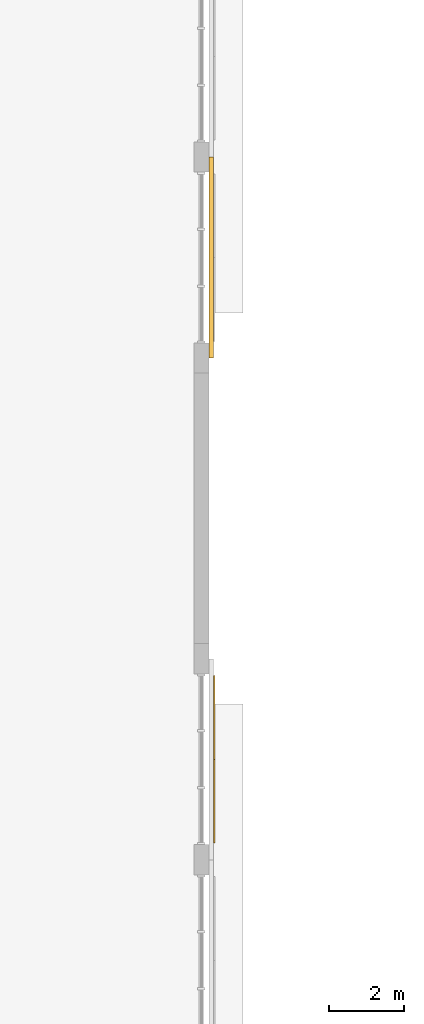
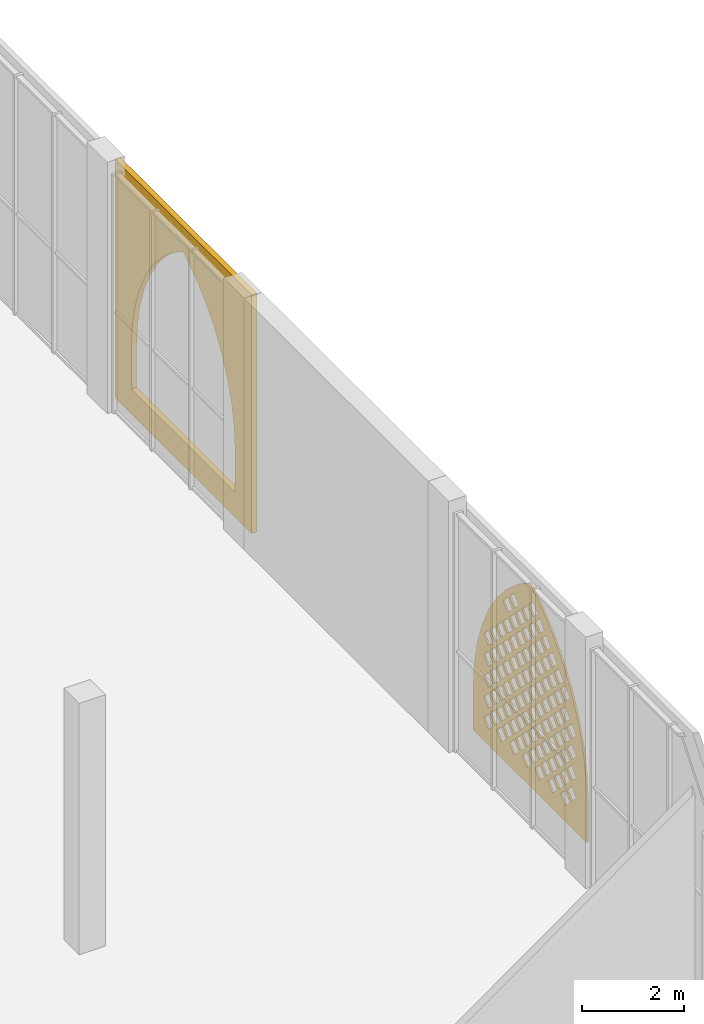
# One storey, part 41 of 74: 2 coverings.
"""IFC4 building model written with IfcOpenShell, lengths in metres."""

from ifc_helpers import new_model, si_unit, direction, frame, origin, place, context, subcontext, project, spatial, polyline, outline, extrude, material, layer, layer_set, type_object, element, save


model = new_model("IFC4")

# Units and contexts
model_context = context("Model", 3, precision=1e-05, world=origin(), true_north=direction((0.0, 1.0)))
body_context = subcontext(model_context, "Body", "Model", "MODEL_VIEW")
ifc_project = project(units=[si_unit("LENGTHUNIT", "METRE"), si_unit("AREAUNIT", "SQUARE_METRE"), si_unit("VOLUMEUNIT", "CUBIC_METRE"), si_unit("PLANEANGLEUNIT", "RADIAN"), si_unit("MASSUNIT", "GRAM", prefix="KILO")], contexts=[model_context])

# Site, building, storey
site_placement = place(None, origin())
site = spatial("IfcSite", under=ifc_project, at=site_placement, CompositionType="ELEMENT")
building_placement = place(site_placement, origin())
building = spatial("IfcBuilding", under=site, at=building_placement, Name="Noorbagh Ring Tower", CompositionType="ELEMENT")
storey_placement = place(building_placement, frame((0.0, 0.0, 7.5)))
storey = spatial("IfcBuildingStorey", under=building, at=storey_placement, Name="L01", CompositionType="ELEMENT", Elevation=7.5)

# Coverings
ifc_material_1 = material(Name="Red sandstone jali", Category="masonry")
ifc_layer_1 = layer(ifc_material_1, 0.0400390625)
ifc_layer_set_1 = layer_set([ifc_layer_1], Name="Red sandstone jali")
covering_type_1 = type_object("IfcCoveringType", Name="STH-JALI", PredefinedType="USERDEFINED", material=ifc_layer_set_1)
covering_1_placement = place(storey_placement, frame((-94.840087890625, -3.89990234375, 0.39990234375), z_axis=(1.0, 0.0, 0.0), x_axis=(0.0, 1.0, 0.0)))
element("IfcCovering", 1, at=covering_1_placement, inside=storey, type_object=covering_type_1, Name="Jali screen", ObjectType="SCREEN", PredefinedType="USERDEFINED", context=body_context, shape_type="SweptSolid", body=[
    extrude(outline(polyline([(0.0, 0.0), (4.449951171875, 0.0), (4.449951171875, 1.0), (4.411865234375, 1.580810546875), (4.29833984375, 2.15185546875), (4.111083984375, 2.702880859375), (3.853759765625, 3.22509765625), (3.5302734375, 3.708984375), (3.146484375, 4.146728515625), (2.708984375, 4.530517578125), (2.224853515625, 4.85400390625), (1.740966796875, 4.530517578125), (1.30322265625, 4.146728515625), (0.91943359375, 3.708984375), (0.59619140625, 3.22509765625), (0.338623046875, 2.702880859375), (0.151611328125, 2.15185546875), (0.0380859375, 1.580810546875), (0.0, 1.0), (0.0, 0.0)]), holes=[polyline([(0.669921875, 0.552001953125), (0.85009765625, 0.371826171875), (1.030029296875, 0.552001953125), (0.85009765625, 0.73193359375), (0.669921875, 0.552001953125)]), polyline([(1.169921875, 0.552001953125), (1.35009765625, 0.371826171875), (1.530029296875, 0.552001953125), (1.35009765625, 0.73193359375), (1.169921875, 0.552001953125)]), polyline([(1.669921875, 0.552001953125), (1.85009765625, 0.371826171875), (2.030029296875, 0.552001953125), (1.85009765625, 0.73193359375), (1.669921875, 0.552001953125)]), polyline([(2.169921875, 0.552001953125), (2.35009765625, 0.371826171875), (2.530029296875, 0.552001953125), (2.35009765625, 0.73193359375), (2.169921875, 0.552001953125)]), polyline([(2.669921875, 0.552001953125), (2.85009765625, 0.371826171875), (3.030029296875, 0.552001953125), (2.85009765625, 0.73193359375), (2.669921875, 0.552001953125)]), polyline([(3.169921875, 0.552001953125), (3.35009765625, 0.371826171875), (3.530029296875, 0.552001953125), (3.35009765625, 0.73193359375), (3.169921875, 0.552001953125)]), polyline([(3.669921875, 0.552001953125), (3.85009765625, 0.371826171875), (4.030029296875, 0.552001953125), (3.85009765625, 0.73193359375), (3.669921875, 0.552001953125)]), polyline([(0.419921875, 0.802001953125), (0.60009765625, 0.621826171875), (0.780029296875, 0.802001953125), (0.60009765625, 0.98193359375), (0.419921875, 0.802001953125)]), polyline([(0.919921875, 0.802001953125), (1.10009765625, 0.621826171875), (1.280029296875, 0.802001953125), (1.10009765625, 0.98193359375), (0.919921875, 0.802001953125)]), polyline([(1.419921875, 0.802001953125), (1.60009765625, 0.621826171875), (1.780029296875, 0.802001953125), (1.60009765625, 0.98193359375), (1.419921875, 0.802001953125)]), polyline([(1.919921875, 0.802001953125), (2.10009765625, 0.621826171875), (2.280029296875, 0.802001953125), (2.10009765625, 0.98193359375), (1.919921875, 0.802001953125)]), polyline([(2.419921875, 0.802001953125), (2.60009765625, 0.621826171875), (2.780029296875, 0.802001953125), (2.60009765625, 0.98193359375), (2.419921875, 0.802001953125)]), polyline([(2.919921875, 0.802001953125), (3.10009765625, 0.621826171875), (3.280029296875, 0.802001953125), (3.10009765625, 0.98193359375), (2.919921875, 0.802001953125)]), polyline([(3.419921875, 0.802001953125), (3.60009765625, 0.621826171875), (3.780029296875, 0.802001953125), (3.60009765625, 0.98193359375), (3.419921875, 0.802001953125)]), polyline([(0.669921875, 1.052001953125), (0.85009765625, 0.871826171875), (1.030029296875, 1.052001953125), (0.85009765625, 1.23193359375), (0.669921875, 1.052001953125)]), polyline([(1.169921875, 1.052001953125), (1.35009765625, 0.871826171875), (1.530029296875, 1.052001953125), (1.35009765625, 1.23193359375), (1.169921875, 1.052001953125)]), polyline([(1.669921875, 1.052001953125), (1.85009765625, 0.871826171875), (2.030029296875, 1.052001953125), (1.85009765625, 1.23193359375), (1.669921875, 1.052001953125)]), polyline([(2.169921875, 1.052001953125), (2.35009765625, 0.871826171875), (2.530029296875, 1.052001953125), (2.35009765625, 1.23193359375), (2.169921875, 1.052001953125)]), polyline([(2.669921875, 1.052001953125), (2.85009765625, 0.871826171875), (3.030029296875, 1.052001953125), (2.85009765625, 1.23193359375), (2.669921875, 1.052001953125)]), polyline([(3.169921875, 1.052001953125), (3.35009765625, 0.871826171875), (3.530029296875, 1.052001953125), (3.35009765625, 1.23193359375), (3.169921875, 1.052001953125)]), polyline([(3.669921875, 1.052001953125), (3.85009765625, 0.871826171875), (4.030029296875, 1.052001953125), (3.85009765625, 1.23193359375), (3.669921875, 1.052001953125)]), polyline([(0.419921875, 1.302001953125), (0.60009765625, 1.121826171875), (0.780029296875, 1.302001953125), (0.60009765625, 1.48193359375), (0.419921875, 1.302001953125)]), polyline([(0.919921875, 1.302001953125), (1.10009765625, 1.121826171875), (1.280029296875, 1.302001953125), (1.10009765625, 1.48193359375), (0.919921875, 1.302001953125)]), polyline([(1.419921875, 1.302001953125), (1.60009765625, 1.121826171875), (1.780029296875, 1.302001953125), (1.60009765625, 1.48193359375), (1.419921875, 1.302001953125)]), polyline([(1.919921875, 1.302001953125), (2.10009765625, 1.121826171875), (2.280029296875, 1.302001953125), (2.10009765625, 1.48193359375), (1.919921875, 1.302001953125)]), polyline([(2.419921875, 1.302001953125), (2.60009765625, 1.121826171875), (2.780029296875, 1.302001953125), (2.60009765625, 1.48193359375), (2.419921875, 1.302001953125)]), polyline([(2.919921875, 1.302001953125), (3.10009765625, 1.121826171875), (3.280029296875, 1.302001953125), (3.10009765625, 1.48193359375), (2.919921875, 1.302001953125)]), polyline([(3.419921875, 1.302001953125), (3.60009765625, 1.121826171875), (3.780029296875, 1.302001953125), (3.60009765625, 1.48193359375), (3.419921875, 1.302001953125)]), polyline([(0.669921875, 1.552001953125), (0.85009765625, 1.371826171875), (1.030029296875, 1.552001953125), (0.85009765625, 1.73193359375), (0.669921875, 1.552001953125)]), polyline([(1.169921875, 1.552001953125), (1.35009765625, 1.371826171875), (1.530029296875, 1.552001953125), (1.35009765625, 1.73193359375), (1.169921875, 1.552001953125)]), polyline([(1.669921875, 1.552001953125), (1.85009765625, 1.371826171875), (2.030029296875, 1.552001953125), (1.85009765625, 1.73193359375), (1.669921875, 1.552001953125)]), polyline([(2.169921875, 1.552001953125), (2.35009765625, 1.371826171875), (2.530029296875, 1.552001953125), (2.35009765625, 1.73193359375), (2.169921875, 1.552001953125)]), polyline([(2.669921875, 1.552001953125), (2.85009765625, 1.371826171875), (3.030029296875, 1.552001953125), (2.85009765625, 1.73193359375), (2.669921875, 1.552001953125)]), polyline([(3.169921875, 1.552001953125), (3.35009765625, 1.371826171875), (3.530029296875, 1.552001953125), (3.35009765625, 1.73193359375), (3.169921875, 1.552001953125)]), polyline([(3.669921875, 1.552001953125), (3.85009765625, 1.371826171875), (4.030029296875, 1.552001953125), (3.85009765625, 1.73193359375), (3.669921875, 1.552001953125)]), polyline([(0.419921875, 1.802001953125), (0.60009765625, 1.621826171875), (0.780029296875, 1.802001953125), (0.60009765625, 1.98193359375), (0.419921875, 1.802001953125)]), polyline([(0.919921875, 1.802001953125), (1.10009765625, 1.621826171875), (1.280029296875, 1.802001953125), (1.10009765625, 1.98193359375), (0.919921875, 1.802001953125)]), polyline([(1.419921875, 1.802001953125), (1.60009765625, 1.621826171875), (1.780029296875, 1.802001953125), (1.60009765625, 1.98193359375), (1.419921875, 1.802001953125)]), polyline([(1.919921875, 1.802001953125), (2.10009765625, 1.621826171875), (2.280029296875, 1.802001953125), (2.10009765625, 1.98193359375), (1.919921875, 1.802001953125)]), polyline([(2.419921875, 1.802001953125), (2.60009765625, 1.621826171875), (2.780029296875, 1.802001953125), (2.60009765625, 1.98193359375), (2.419921875, 1.802001953125)]), polyline([(2.919921875, 1.802001953125), (3.10009765625, 1.621826171875), (3.280029296875, 1.802001953125), (3.10009765625, 1.98193359375), (2.919921875, 1.802001953125)]), polyline([(3.419921875, 1.802001953125), (3.60009765625, 1.621826171875), (3.780029296875, 1.802001953125), (3.60009765625, 1.98193359375), (3.419921875, 1.802001953125)]), polyline([(0.669921875, 2.052001953125), (0.85009765625, 1.871826171875), (1.030029296875, 2.052001953125), (0.85009765625, 2.23193359375), (0.669921875, 2.052001953125)]), polyline([(1.169921875, 2.052001953125), (1.35009765625, 1.871826171875), (1.530029296875, 2.052001953125), (1.35009765625, 2.23193359375), (1.169921875, 2.052001953125)]), polyline([(1.669921875, 2.052001953125), (1.85009765625, 1.871826171875), (2.030029296875, 2.052001953125), (1.85009765625, 2.23193359375), (1.669921875, 2.052001953125)]), polyline([(2.169921875, 2.052001953125), (2.35009765625, 1.871826171875), (2.530029296875, 2.052001953125), (2.35009765625, 2.23193359375), (2.169921875, 2.052001953125)]), polyline([(2.669921875, 2.052001953125), (2.85009765625, 1.871826171875), (3.030029296875, 2.052001953125), (2.85009765625, 2.23193359375), (2.669921875, 2.052001953125)]), polyline([(3.169921875, 2.052001953125), (3.35009765625, 1.871826171875), (3.530029296875, 2.052001953125), (3.35009765625, 2.23193359375), (3.169921875, 2.052001953125)]), polyline([(3.669921875, 2.052001953125), (3.85009765625, 1.871826171875), (4.030029296875, 2.052001953125), (3.85009765625, 2.23193359375), (3.669921875, 2.052001953125)]), polyline([(0.419921875, 2.302001953125), (0.60009765625, 2.121826171875), (0.780029296875, 2.302001953125), (0.60009765625, 2.48193359375), (0.419921875, 2.302001953125)]), polyline([(0.919921875, 2.302001953125), (1.10009765625, 2.121826171875), (1.280029296875, 2.302001953125), (1.10009765625, 2.48193359375), (0.919921875, 2.302001953125)]), polyline([(1.419921875, 2.302001953125), (1.60009765625, 2.121826171875), (1.780029296875, 2.302001953125), (1.60009765625, 2.48193359375), (1.419921875, 2.302001953125)]), polyline([(1.919921875, 2.302001953125), (2.10009765625, 2.121826171875), (2.280029296875, 2.302001953125), (2.10009765625, 2.48193359375), (1.919921875, 2.302001953125)]), polyline([(2.419921875, 2.302001953125), (2.60009765625, 2.121826171875), (2.780029296875, 2.302001953125), (2.60009765625, 2.48193359375), (2.419921875, 2.302001953125)]), polyline([(2.919921875, 2.302001953125), (3.10009765625, 2.121826171875), (3.280029296875, 2.302001953125), (3.10009765625, 2.48193359375), (2.919921875, 2.302001953125)]), polyline([(3.419921875, 2.302001953125), (3.60009765625, 2.121826171875), (3.780029296875, 2.302001953125), (3.60009765625, 2.48193359375), (3.419921875, 2.302001953125)]), polyline([(0.669921875, 2.552001953125), (0.85009765625, 2.371826171875), (1.030029296875, 2.552001953125), (0.85009765625, 2.73193359375), (0.669921875, 2.552001953125)]), polyline([(1.169921875, 2.552001953125), (1.35009765625, 2.371826171875), (1.530029296875, 2.552001953125), (1.35009765625, 2.73193359375), (1.169921875, 2.552001953125)]), polyline([(1.669921875, 2.552001953125), (1.85009765625, 2.371826171875), (2.030029296875, 2.552001953125), (1.85009765625, 2.73193359375), (1.669921875, 2.552001953125)]), polyline([(2.169921875, 2.552001953125), (2.35009765625, 2.371826171875), (2.530029296875, 2.552001953125), (2.35009765625, 2.73193359375), (2.169921875, 2.552001953125)]), polyline([(2.669921875, 2.552001953125), (2.85009765625, 2.371826171875), (3.030029296875, 2.552001953125), (2.85009765625, 2.73193359375), (2.669921875, 2.552001953125)]), polyline([(3.169921875, 2.552001953125), (3.35009765625, 2.371826171875), (3.530029296875, 2.552001953125), (3.35009765625, 2.73193359375), (3.169921875, 2.552001953125)]), polyline([(3.669921875, 2.552001953125), (3.85009765625, 2.371826171875), (4.030029296875, 2.552001953125), (3.85009765625, 2.73193359375), (3.669921875, 2.552001953125)]), polyline([(0.919921875, 2.802001953125), (1.10009765625, 2.621826171875), (1.280029296875, 2.802001953125), (1.10009765625, 2.98193359375), (0.919921875, 2.802001953125)]), polyline([(1.419921875, 2.802001953125), (1.60009765625, 2.621826171875), (1.780029296875, 2.802001953125), (1.60009765625, 2.98193359375), (1.419921875, 2.802001953125)]), polyline([(1.919921875, 2.802001953125), (2.10009765625, 2.621826171875), (2.280029296875, 2.802001953125), (2.10009765625, 2.98193359375), (1.919921875, 2.802001953125)]), polyline([(2.419921875, 2.802001953125), (2.60009765625, 2.621826171875), (2.780029296875, 2.802001953125), (2.60009765625, 2.98193359375), (2.419921875, 2.802001953125)]), polyline([(2.919921875, 2.802001953125), (3.10009765625, 2.621826171875), (3.280029296875, 2.802001953125), (3.10009765625, 2.98193359375), (2.919921875, 2.802001953125)]), polyline([(3.419921875, 2.802001953125), (3.60009765625, 2.621826171875), (3.780029296875, 2.802001953125), (3.60009765625, 2.98193359375), (3.419921875, 2.802001953125)]), polyline([(0.669921875, 3.052001953125), (0.85009765625, 2.871826171875), (1.030029296875, 3.052001953125), (0.85009765625, 3.23193359375), (0.669921875, 3.052001953125)]), polyline([(1.169921875, 3.052001953125), (1.35009765625, 2.871826171875), (1.530029296875, 3.052001953125), (1.35009765625, 3.23193359375), (1.169921875, 3.052001953125)]), polyline([(1.669921875, 3.052001953125), (1.85009765625, 2.871826171875), (2.030029296875, 3.052001953125), (1.85009765625, 3.23193359375), (1.669921875, 3.052001953125)]), polyline([(2.169921875, 3.052001953125), (2.35009765625, 2.871826171875), (2.530029296875, 3.052001953125), (2.35009765625, 3.23193359375), (2.169921875, 3.052001953125)]), polyline([(2.669921875, 3.052001953125), (2.85009765625, 2.871826171875), (3.030029296875, 3.052001953125), (2.85009765625, 3.23193359375), (2.669921875, 3.052001953125)]), polyline([(3.169921875, 3.052001953125), (3.35009765625, 2.871826171875), (3.530029296875, 3.052001953125), (3.35009765625, 3.23193359375), (3.169921875, 3.052001953125)]), polyline([(0.919921875, 3.302001953125), (1.10009765625, 3.121826171875), (1.280029296875, 3.302001953125), (1.10009765625, 3.48193359375), (0.919921875, 3.302001953125)]), polyline([(1.419921875, 3.302001953125), (1.60009765625, 3.121826171875), (1.780029296875, 3.302001953125), (1.60009765625, 3.48193359375), (1.419921875, 3.302001953125)]), polyline([(1.919921875, 3.302001953125), (2.10009765625, 3.121826171875), (2.280029296875, 3.302001953125), (2.10009765625, 3.48193359375), (1.919921875, 3.302001953125)]), polyline([(2.419921875, 3.302001953125), (2.60009765625, 3.121826171875), (2.780029296875, 3.302001953125), (2.60009765625, 3.48193359375), (2.419921875, 3.302001953125)]), polyline([(2.919921875, 3.302001953125), (3.10009765625, 3.121826171875), (3.280029296875, 3.302001953125), (3.10009765625, 3.48193359375), (2.919921875, 3.302001953125)]), polyline([(1.169921875, 3.552001953125), (1.35009765625, 3.371826171875), (1.530029296875, 3.552001953125), (1.35009765625, 3.73193359375), (1.169921875, 3.552001953125)]), polyline([(1.669921875, 3.552001953125), (1.85009765625, 3.371826171875), (2.030029296875, 3.552001953125), (1.85009765625, 3.73193359375), (1.669921875, 3.552001953125)]), polyline([(2.169921875, 3.552001953125), (2.35009765625, 3.371826171875), (2.530029296875, 3.552001953125), (2.35009765625, 3.73193359375), (2.169921875, 3.552001953125)]), polyline([(2.669921875, 3.552001953125), (2.85009765625, 3.371826171875), (3.030029296875, 3.552001953125), (2.85009765625, 3.73193359375), (2.669921875, 3.552001953125)]), polyline([(1.419921875, 3.802001953125), (1.60009765625, 3.621826171875), (1.780029296875, 3.802001953125), (1.60009765625, 3.98193359375), (1.419921875, 3.802001953125)]), polyline([(1.919921875, 3.802001953125), (2.10009765625, 3.621826171875), (2.280029296875, 3.802001953125), (2.10009765625, 3.98193359375), (1.919921875, 3.802001953125)]), polyline([(2.419921875, 3.802001953125), (2.60009765625, 3.621826171875), (2.780029296875, 3.802001953125), (2.60009765625, 3.98193359375), (2.419921875, 3.802001953125)]), polyline([(2.919921875, 3.802001953125), (3.10009765625, 3.621826171875), (3.280029296875, 3.802001953125), (3.10009765625, 3.98193359375), (2.919921875, 3.802001953125)]), polyline([(1.669921875, 4.052001953125), (1.85009765625, 3.871826171875), (2.030029296875, 4.052001953125), (1.85009765625, 4.23193359375), (1.669921875, 4.052001953125)]), polyline([(2.169921875, 4.052001953125), (2.35009765625, 3.871826171875), (2.530029296875, 4.052001953125), (2.35009765625, 4.23193359375), (2.169921875, 4.052001953125)]), polyline([(2.669921875, 4.052001953125), (2.85009765625, 3.871826171875), (3.030029296875, 4.052001953125), (2.85009765625, 4.23193359375), (2.669921875, 4.052001953125)]), polyline([(1.919921875, 4.302001953125), (2.10009765625, 4.121826171875), (2.280029296875, 4.302001953125), (2.10009765625, 4.48193359375), (1.919921875, 4.302001953125)])]), origin(), (0.0, 0.0, -1.0), 0.0400390625),
])
ifc_material_2 = material(Name="Red sandstone cladding", Category="masonry")
ifc_layer_2 = layer(ifc_material_2, 0.1201171875)
ifc_layer_set_2 = layer_set([ifc_layer_2], Name="Red sandstone cladding")
covering_type_2 = type_object("IfcCoveringType", Name="STH-SPANDREL", PredefinedType="USERDEFINED", material=ifc_layer_set_2)
covering_2_placement = place(storey_placement, frame((-94.8798828125, 9.0, 0.0), z_axis=(1.0, 0.0, 0.0), x_axis=(0.0, 1.0, 0.0)))
element("IfcCovering", 2, at=covering_2_placement, inside=storey, type_object=covering_type_2, Name="Arch spandrel", ObjectType="ARCH", PredefinedType="USERDEFINED", context=body_context, shape_type="SweptSolid", body=[
    extrude(outline(polyline([(0.0, 0.0), (5.35009765625, 0.0), (5.35009765625, 5.699951171875), (0.0, 5.699951171875), (0.0, 0.0)]), holes=[polyline([(0.64990234375, 0.60009765625), (0.64990234375, 1.60009765625), (0.6845703125, 2.128662109375), (0.7880859375, 2.648193359375), (0.958251953125, 3.14990234375), (1.192626953125, 3.625), (1.48681640625, 4.0654296875), (1.836181640625, 4.4638671875), (2.234619140625, 4.81298828125), (2.675048828125, 5.107421875), (3.115478515625, 4.81298828125), (3.513916015625, 4.4638671875), (3.863037109375, 4.0654296875), (4.157470703125, 3.625), (4.3916015625, 3.14990234375), (4.56201171875, 2.648193359375), (4.665283203125, 2.128662109375), (4.699951171875, 1.60009765625), (4.699951171875, 0.60009765625), (0.64990234375, 0.60009765625)])]), origin(), (0.0, 0.0, -1.0), 0.1201171875),
])

save(model, "model.ifc")
